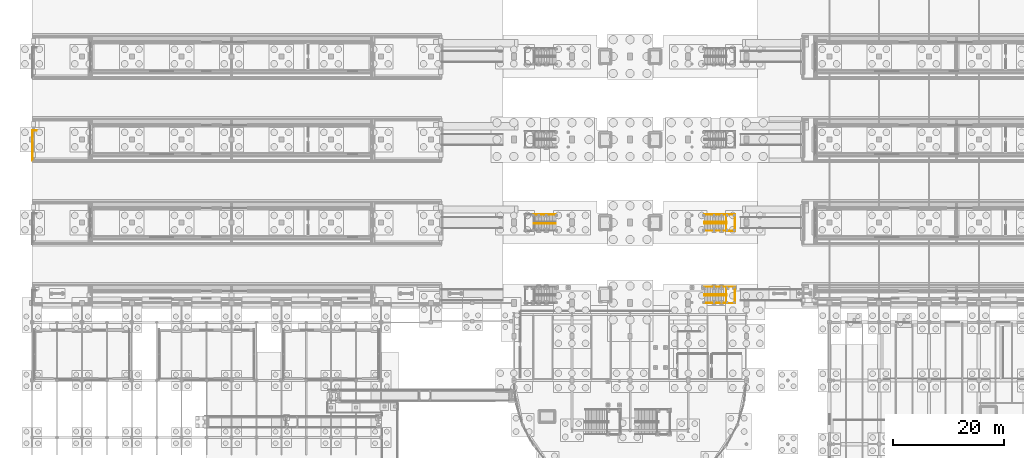
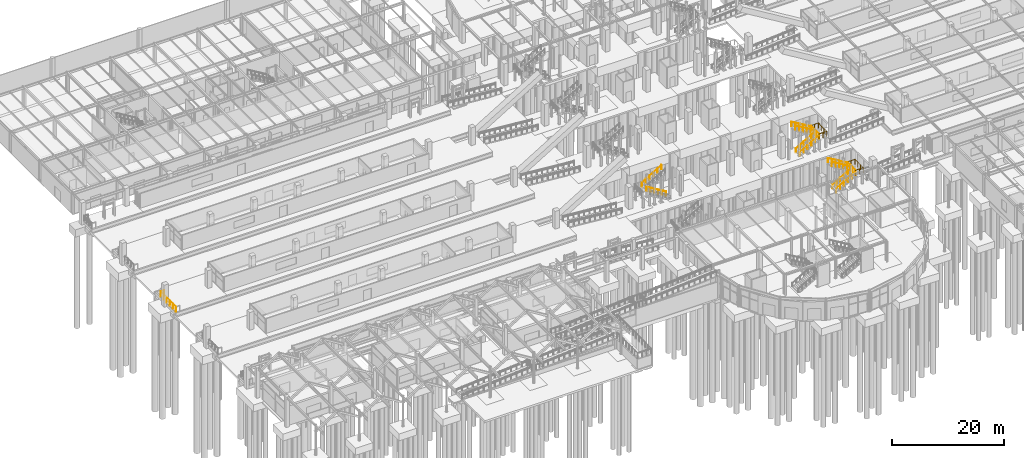
# One storey, part 153 of 160: 15 railings.
"""IFC4 building model written with IfcOpenShell, lengths in metres."""

from ifc_helpers import new_model, si_unit, direction, frame, origin, origin_2d, place, context, subcontext, project, spatial, circle, extrude, material, type_object, element, save


model = new_model("IFC4")

# Units and contexts
model_context = context("Model", 3, precision=1e-05, world=origin(), true_north=direction((0.0, 1.0)))
body_context = subcontext(model_context, "Body", "Model", "MODEL_VIEW")
ifc_project = project(units=[si_unit("LENGTHUNIT", "METRE"), si_unit("AREAUNIT", "SQUARE_METRE"), si_unit("VOLUMEUNIT", "CUBIC_METRE"), si_unit("PLANEANGLEUNIT", "RADIAN"), si_unit("MASSUNIT", "GRAM", prefix="KILO")], contexts=[model_context])

# Site, building, storey
site_placement = place(None, origin())
site = spatial("IfcSite", under=ifc_project, at=site_placement, CompositionType="ELEMENT")
building_placement = place(site_placement, origin())
building = spatial("IfcBuilding", under=site, at=building_placement, Name="Marlcrest Central Station", CompositionType="ELEMENT")
storey_placement = place(building_placement, origin())
storey = spatial("IfcBuildingStorey", under=building, at=storey_placement, Name="L00", CompositionType="ELEMENT", Elevation=0.0)

# Railings
ifc_material_1 = material(Name="Stainless steel and laminated glass concourse balustrade", Category="steel")
railing_type_1 = type_object("IfcRailingType", Name="GR-02", PredefinedType="BALUSTRADE", material=ifc_material_1)
for number, where, name in (
    (1, (125.3701171875, 36.4599609375, 2.39990234375), "hr-L00-00028"),
    (2, (125.3701171875, 49.510009765625, 2.39990234375), "hr-L00-00062"),
):
    element("IfcRailing", number, at=place(storey_placement, frame(where)), inside=storey, type_object=railing_type_1, Name=name, PredefinedType="BALUSTRADE", context=body_context, shape_type="SweptSolid", body=[
        extrude(circle(Radius=0.02392578125, at=origin_2d()), frame((0.0, 0.0, 1.09619140625), z_axis=(1.0, 0.0, 0.0), x_axis=(0.0, 1.0, 0.0)), (0.0, 0.0, 1.0), 1.599853515625),
        extrude(circle(Radius=0.02392578125, at=origin_2d()), frame((1.599853515625, 0.0, 1.09619140625), z_axis=(0.0, 1.0, 0.0), x_axis=(-1.0, 0.0, 0.0)), (0.0, 0.0, 1.0), 2.97998046875),
        extrude(circle(Radius=0.02392578125, at=origin_2d()), frame((1.599853515625, 2.97998046875, 1.09619140625), z_axis=(-1.0, 0.0, 0.0), x_axis=(0.0, -1.0, 0.0)), (0.0, 0.0, 1.0), 1.599853515625),
        extrude(circle(Radius=0.02099609375, at=origin_2d()), origin(), (0.0, 0.0, 1.0), 1.072021484375),
        extrude(circle(Radius=0.02099609375, at=origin_2d()), frame((0.7998046875, 0.0, 0.0)), (0.0, 0.0, 1.0), 1.072021484375),
        extrude(circle(Radius=0.02099609375, at=origin_2d()), frame((1.599853515625, 0.0, 0.0)), (0.0, 0.0, 1.0), 1.072021484375),
        extrude(circle(Radius=0.02099609375, at=origin_2d()), frame((1.599853515625, 0.993408203125, 0.0)), (0.0, 0.0, 1.0), 1.072021484375),
        extrude(circle(Radius=0.02099609375, at=origin_2d()), frame((1.599853515625, 1.986572265625, 0.0)), (0.0, 0.0, 1.0), 1.072021484375),
        extrude(circle(Radius=0.02099609375, at=origin_2d()), frame((1.599853515625, 2.97998046875, 0.0)), (0.0, 0.0, 1.0), 1.072021484375),
        extrude(circle(Radius=0.02099609375, at=origin_2d()), frame((0.7998046875, 2.97998046875, 0.0)), (0.0, 0.0, 1.0), 1.072021484375),
        extrude(circle(Radius=0.02099609375, at=origin_2d()), frame((0.0, 2.97998046875, 0.0)), (0.0, 0.0, 1.0), 1.072021484375),
    ])
railing_1_placement = place(storey_placement, frame((0.06005859375, 62.159912109375, 0.9150390625)))
element("IfcRailing", 3, at=railing_1_placement, inside=storey, type_object=railing_type_1, Name="hr-L00-00380", PredefinedType="BALUSTRADE", context=body_context, shape_type="SweptSolid", body=[
    extrude(circle(Radius=0.02392578125, at=origin_2d()), frame((0.0, 0.0, 1.09619140625), z_axis=(0.0, 1.0, 0.0), x_axis=(-1.0, 0.0, 0.0)), (0.0, 0.0, 1.0), 5.49609375),
    extrude(circle(Radius=0.02392578125, at=origin_2d()), frame((0.0, 5.49609375, 1.09619140625), z_axis=(1.0, 0.0, 0.0), x_axis=(0.0, 1.0, 0.0)), (0.0, 0.0, 1.0), 0.739990234375),
    extrude(circle(Radius=0.02099609375, at=origin_2d()), origin(), (0.0, 0.0, 1.0), 1.072021484375),
    extrude(circle(Radius=0.02099609375, at=origin_2d()), frame((0.0, 1.09912109375, 0.0)), (0.0, 0.0, 1.0), 1.072021484375),
    extrude(circle(Radius=0.02099609375, at=origin_2d()), frame((0.0, 2.198486328125, 0.0)), (0.0, 0.0, 1.0), 1.072021484375),
    extrude(circle(Radius=0.02099609375, at=origin_2d()), frame((0.0, 3.297607421875, 0.0)), (0.0, 0.0, 1.0), 1.072021484375),
    extrude(circle(Radius=0.02099609375, at=origin_2d()), frame((0.0, 4.39697265625, 0.0)), (0.0, 0.0, 1.0), 1.072021484375),
    extrude(circle(Radius=0.02099609375, at=origin_2d()), frame((0.0, 5.49609375, 0.0)), (0.0, 0.0, 1.0), 1.072021484375),
    extrude(circle(Radius=0.02099609375, at=origin_2d()), frame((0.739990234375, 5.49609375, 0.0)), (0.0, 0.0, 1.0), 1.072021484375),
])
railing_2_placement = place(storey_placement, frame((125.389892578125, 36.60009765625, 2.39990234375)))
element("IfcRailing", 4, at=railing_2_placement, inside=storey, type_object=railing_type_1, Name="hr-L00-00571", PredefinedType="BALUSTRADE", context=body_context, shape_type="SweptSolid", body=[
    extrude(circle(Radius=0.02392578125, at=origin_2d()), frame((0.0, 0.0, 1.09619140625), z_axis=(0.0, 1.0, 0.0), x_axis=(-1.0, 0.0, 0.0)), (0.0, 0.0, 1.0), 2.699951171875),
    extrude(circle(Radius=0.02099609375, at=origin_2d()), origin(), (0.0, 0.0, 1.0), 1.072021484375),
    extrude(circle(Radius=0.02099609375, at=origin_2d()), frame((0.0, 0.89990234375, 0.0)), (0.0, 0.0, 1.0), 1.072021484375),
    extrude(circle(Radius=0.02099609375, at=origin_2d()), frame((0.0, 1.800048828125, 0.0)), (0.0, 0.0, 1.0), 1.072021484375),
    extrude(circle(Radius=0.02099609375, at=origin_2d()), frame((0.0, 2.699951171875, 0.0)), (0.0, 0.0, 1.0), 1.072021484375),
])
railing_3_placement = place(storey_placement, frame((125.389892578125, 49.64990234375, 2.39990234375)))
element("IfcRailing", 5, at=railing_3_placement, inside=storey, type_object=railing_type_1, Name="hr-L00-00575", PredefinedType="BALUSTRADE", context=body_context, shape_type="SweptSolid", body=[
    extrude(circle(Radius=0.02392578125, at=origin_2d()), frame((0.0, 0.0, 1.09619140625), z_axis=(0.0, 1.0, 0.0), x_axis=(-1.0, 0.0, 0.0)), (0.0, 0.0, 1.0), 2.7001953125),
    extrude(circle(Radius=0.02099609375, at=origin_2d()), origin(), (0.0, 0.0, 1.0), 1.072021484375),
    extrude(circle(Radius=0.02099609375, at=origin_2d()), frame((0.0, 0.900146484375, 0.0)), (0.0, 0.0, 1.0), 1.072021484375),
    extrude(circle(Radius=0.02099609375, at=origin_2d()), frame((0.0, 1.800048828125, 0.0)), (0.0, 0.0, 1.0), 1.072021484375),
    extrude(circle(Radius=0.02099609375, at=origin_2d()), frame((0.0, 2.7001953125, 0.0)), (0.0, 0.0, 1.0), 1.072021484375),
])
ifc_material_2 = material(Name="Brushed stainless steel handrail", Category="steel")
railing_type_2 = type_object("IfcRailingType", Name="HR-01", PredefinedType="HANDRAIL", material=ifc_material_2)
railing_4_placement = place(storey_placement, frame((121.419921875, 36.47509765625, 0.0)))
element("IfcRailing", 6, at=railing_4_placement, inside=storey, type_object=railing_type_2, Name="hr-L00-00020", PredefinedType="HANDRAIL", context=body_context, shape_type="SweptSolid", body=[
    extrude(circle(Radius=0.02392578125, at=origin_2d()), frame((0.0, 0.0, 0.89599609375), z_axis=(0.856932605607, 0.0, 0.515428471708), x_axis=(0.0, 1.0, 0.0)), (0.0, 0.0, 1.0), 4.65625),
    extrude(circle(Radius=0.02099609375, at=origin_2d()), origin(), (0.0, 0.0, 1.0), 0.871826171875),
    extrude(circle(Radius=0.02099609375, at=origin_2d()), frame((0.798095703125, 0.0, 0.47998046875)), (0.0, 0.0, 1.0), 0.871826171875),
    extrude(circle(Radius=0.02099609375, at=origin_2d()), frame((1.595947265625, 0.0, 0.9599609375)), (0.0, 0.0, 1.0), 0.871826171875),
    extrude(circle(Radius=0.02099609375, at=origin_2d()), frame((2.39404296875, 0.0, 1.43994140625)), (0.0, 0.0, 1.0), 0.871826171875),
    extrude(circle(Radius=0.02099609375, at=origin_2d()), frame((3.19189453125, 0.0, 1.919921875)), (0.0, 0.0, 1.0), 0.871826171875),
    extrude(circle(Radius=0.02099609375, at=origin_2d()), frame((3.989990234375, 0.0, 2.39990234375)), (0.0, 0.0, 1.0), 0.871826171875),
])
railing_5_placement = place(storey_placement, frame((125.409912109375, 38.0849609375, 2.39990234375)))
element("IfcRailing", 7, at=railing_5_placement, inside=storey, type_object=railing_type_2, Name="hr-L00-00021", PredefinedType="HANDRAIL", context=body_context, shape_type="SweptSolid", body=[
    extrude(circle(Radius=0.02392578125, at=origin_2d()), frame((0.0, 0.0, 0.89599609375), z_axis=(-0.856909445827, 0.0, 0.515466974357), x_axis=(0.0, -1.0, 0.0)), (0.0, 0.0, 1.0), 4.65625),
    extrude(circle(Radius=0.02099609375, at=origin_2d()), origin(), (0.0, 0.0, 1.0), 0.871826171875),
    extrude(circle(Radius=0.02099609375, at=origin_2d()), frame((-0.798095703125, 0.0, 0.47998046875)), (0.0, 0.0, 1.0), 0.871826171875),
    extrude(circle(Radius=0.02099609375, at=origin_2d()), frame((-1.595947265625, 0.0, 0.9599609375)), (0.0, 0.0, 1.0), 0.871826171875),
    extrude(circle(Radius=0.02099609375, at=origin_2d()), frame((-2.39404296875, 0.0, 1.440185546875)), (0.0, 0.0, 1.0), 0.871826171875),
    extrude(circle(Radius=0.02099609375, at=origin_2d()), frame((-3.19189453125, 0.0, 1.920166015625)), (0.0, 0.0, 1.0), 0.871826171875),
    extrude(circle(Radius=0.02099609375, at=origin_2d()), frame((-3.989990234375, 0.0, 2.400146484375)), (0.0, 0.0, 1.0), 0.871826171875),
])
railing_6_placement = place(storey_placement, frame((121.419921875, 37.81494140625, 0.0)))
element("IfcRailing", 8, at=railing_6_placement, inside=storey, type_object=railing_type_2, Name="hr-L00-00022", PredefinedType="HANDRAIL", context=body_context, shape_type="SweptSolid", body=[
    extrude(circle(Radius=0.02392578125, at=origin_2d()), frame((0.0, 0.0, 0.89599609375), z_axis=(0.856932605607, 0.0, 0.515428471708), x_axis=(0.0, 1.0, 0.0)), (0.0, 0.0, 1.0), 4.65625),
    extrude(circle(Radius=0.02099609375, at=origin_2d()), origin(), (0.0, 0.0, 1.0), 0.871826171875),
    extrude(circle(Radius=0.02099609375, at=origin_2d()), frame((0.798095703125, 0.0, 0.47998046875)), (0.0, 0.0, 1.0), 0.871826171875),
    extrude(circle(Radius=0.02099609375, at=origin_2d()), frame((1.595947265625, 0.0, 0.9599609375)), (0.0, 0.0, 1.0), 0.871826171875),
    extrude(circle(Radius=0.02099609375, at=origin_2d()), frame((2.39404296875, 0.0, 1.43994140625)), (0.0, 0.0, 1.0), 0.871826171875),
    extrude(circle(Radius=0.02099609375, at=origin_2d()), frame((3.19189453125, 0.0, 1.919921875)), (0.0, 0.0, 1.0), 0.871826171875),
    extrude(circle(Radius=0.02099609375, at=origin_2d()), frame((3.989990234375, 0.0, 2.39990234375)), (0.0, 0.0, 1.0), 0.871826171875),
])
railing_7_placement = place(storey_placement, frame((125.409912109375, 39.425048828125, 2.39990234375)))
element("IfcRailing", 9, at=railing_7_placement, inside=storey, type_object=railing_type_2, Name="hr-L00-00023", PredefinedType="HANDRAIL", context=body_context, shape_type="SweptSolid", body=[
    extrude(circle(Radius=0.02392578125, at=origin_2d()), frame((0.0, 0.0, 0.89599609375), z_axis=(-0.856909445827, 0.0, 0.515466974357), x_axis=(0.0, -1.0, 0.0)), (0.0, 0.0, 1.0), 4.65625),
    extrude(circle(Radius=0.02099609375, at=origin_2d()), origin(), (0.0, 0.0, 1.0), 0.871826171875),
    extrude(circle(Radius=0.02099609375, at=origin_2d()), frame((-0.798095703125, 0.0, 0.47998046875)), (0.0, 0.0, 1.0), 0.871826171875),
    extrude(circle(Radius=0.02099609375, at=origin_2d()), frame((-1.595947265625, 0.0, 0.9599609375)), (0.0, 0.0, 1.0), 0.871826171875),
    extrude(circle(Radius=0.02099609375, at=origin_2d()), frame((-2.39404296875, 0.0, 1.440185546875)), (0.0, 0.0, 1.0), 0.871826171875),
    extrude(circle(Radius=0.02099609375, at=origin_2d()), frame((-3.19189453125, 0.0, 1.920166015625)), (0.0, 0.0, 1.0), 0.871826171875),
    extrude(circle(Radius=0.02099609375, at=origin_2d()), frame((-3.989990234375, 0.0, 2.400146484375)), (0.0, 0.0, 1.0), 0.871826171875),
])
railing_8_placement = place(storey_placement, frame((94.580078125, 50.864990234375, 0.0)))
element("IfcRailing", 10, at=railing_8_placement, inside=storey, type_object=railing_type_2, Name="hr-L00-00039", PredefinedType="HANDRAIL", context=body_context, shape_type="SweptSolid", body=[
    extrude(circle(Radius=0.02392578125, at=origin_2d()), frame((0.0, 0.0, 0.89599609375), z_axis=(-0.856932605607, 0.0, 0.515428471708), x_axis=(0.0, -1.0, 0.0)), (0.0, 0.0, 1.0), 4.65625),
    extrude(circle(Radius=0.02099609375, at=origin_2d()), origin(), (0.0, 0.0, 1.0), 0.871826171875),
    extrude(circle(Radius=0.02099609375, at=origin_2d()), frame((-0.798095703125, 0.0, 0.47998046875)), (0.0, 0.0, 1.0), 0.871826171875),
    extrude(circle(Radius=0.02099609375, at=origin_2d()), frame((-1.595947265625, 0.0, 0.9599609375)), (0.0, 0.0, 1.0), 0.871826171875),
    extrude(circle(Radius=0.02099609375, at=origin_2d()), frame((-2.39404296875, 0.0, 1.43994140625)), (0.0, 0.0, 1.0), 0.871826171875),
    extrude(circle(Radius=0.02099609375, at=origin_2d()), frame((-3.19189453125, 0.0, 1.919921875)), (0.0, 0.0, 1.0), 0.871826171875),
    extrude(circle(Radius=0.02099609375, at=origin_2d()), frame((-3.989990234375, 0.0, 2.39990234375)), (0.0, 0.0, 1.0), 0.871826171875),
])
railing_9_placement = place(storey_placement, frame((90.590087890625, 52.47509765625, 2.39990234375)))
element("IfcRailing", 11, at=railing_9_placement, inside=storey, type_object=railing_type_2, Name="hr-L00-00040", PredefinedType="HANDRAIL", context=body_context, shape_type="SweptSolid", body=[
    extrude(circle(Radius=0.02392578125, at=origin_2d()), frame((0.0, 0.0, 0.89599609375), z_axis=(0.856909445827, 0.0, 0.515466974357), x_axis=(0.0, 1.0, 0.0)), (0.0, 0.0, 1.0), 4.65625),
    extrude(circle(Radius=0.02099609375, at=origin_2d()), origin(), (0.0, 0.0, 1.0), 0.871826171875),
    extrude(circle(Radius=0.02099609375, at=origin_2d()), frame((0.798095703125, 0.0, 0.47998046875)), (0.0, 0.0, 1.0), 0.871826171875),
    extrude(circle(Radius=0.02099609375, at=origin_2d()), frame((1.595947265625, 0.0, 0.9599609375)), (0.0, 0.0, 1.0), 0.871826171875),
    extrude(circle(Radius=0.02099609375, at=origin_2d()), frame((2.39404296875, 0.0, 1.440185546875)), (0.0, 0.0, 1.0), 0.871826171875),
    extrude(circle(Radius=0.02099609375, at=origin_2d()), frame((3.19189453125, 0.0, 1.920166015625)), (0.0, 0.0, 1.0), 0.871826171875),
    extrude(circle(Radius=0.02099609375, at=origin_2d()), frame((3.989990234375, 0.0, 2.400146484375)), (0.0, 0.0, 1.0), 0.871826171875),
])
railing_10_placement = place(storey_placement, frame((121.419921875, 49.52490234375, 0.0)))
element("IfcRailing", 12, at=railing_10_placement, inside=storey, type_object=railing_type_2, Name="hr-L00-00054", PredefinedType="HANDRAIL", context=body_context, shape_type="SweptSolid", body=[
    extrude(circle(Radius=0.02392578125, at=origin_2d()), frame((0.0, 0.0, 0.89599609375), z_axis=(0.856932605607, 0.0, 0.515428471708), x_axis=(0.0, 1.0, 0.0)), (0.0, 0.0, 1.0), 4.65625),
    extrude(circle(Radius=0.02099609375, at=origin_2d()), origin(), (0.0, 0.0, 1.0), 0.871826171875),
    extrude(circle(Radius=0.02099609375, at=origin_2d()), frame((0.798095703125, 0.0, 0.47998046875)), (0.0, 0.0, 1.0), 0.871826171875),
    extrude(circle(Radius=0.02099609375, at=origin_2d()), frame((1.595947265625, 0.0, 0.9599609375)), (0.0, 0.0, 1.0), 0.871826171875),
    extrude(circle(Radius=0.02099609375, at=origin_2d()), frame((2.39404296875, 0.0, 1.43994140625)), (0.0, 0.0, 1.0), 0.871826171875),
    extrude(circle(Radius=0.02099609375, at=origin_2d()), frame((3.19189453125, 0.0, 1.919921875)), (0.0, 0.0, 1.0), 0.871826171875),
    extrude(circle(Radius=0.02099609375, at=origin_2d()), frame((3.989990234375, 0.0, 2.39990234375)), (0.0, 0.0, 1.0), 0.871826171875),
])
railing_11_placement = place(storey_placement, frame((125.409912109375, 51.135009765625, 2.39990234375)))
element("IfcRailing", 13, at=railing_11_placement, inside=storey, type_object=railing_type_2, Name="hr-L00-00055", PredefinedType="HANDRAIL", context=body_context, shape_type="SweptSolid", body=[
    extrude(circle(Radius=0.02392578125, at=origin_2d()), frame((0.0, 0.0, 0.89599609375), z_axis=(-0.856909445827, 0.0, 0.515466974357), x_axis=(0.0, -1.0, 0.0)), (0.0, 0.0, 1.0), 4.65625),
    extrude(circle(Radius=0.02099609375, at=origin_2d()), origin(), (0.0, 0.0, 1.0), 0.871826171875),
    extrude(circle(Radius=0.02099609375, at=origin_2d()), frame((-0.798095703125, 0.0, 0.47998046875)), (0.0, 0.0, 1.0), 0.871826171875),
    extrude(circle(Radius=0.02099609375, at=origin_2d()), frame((-1.595947265625, 0.0, 0.9599609375)), (0.0, 0.0, 1.0), 0.871826171875),
    extrude(circle(Radius=0.02099609375, at=origin_2d()), frame((-2.39404296875, 0.0, 1.440185546875)), (0.0, 0.0, 1.0), 0.871826171875),
    extrude(circle(Radius=0.02099609375, at=origin_2d()), frame((-3.19189453125, 0.0, 1.920166015625)), (0.0, 0.0, 1.0), 0.871826171875),
    extrude(circle(Radius=0.02099609375, at=origin_2d()), frame((-3.989990234375, 0.0, 2.400146484375)), (0.0, 0.0, 1.0), 0.871826171875),
])
railing_12_placement = place(storey_placement, frame((121.419921875, 50.864990234375, 0.0)))
element("IfcRailing", 14, at=railing_12_placement, inside=storey, type_object=railing_type_2, Name="hr-L00-00056", PredefinedType="HANDRAIL", context=body_context, shape_type="SweptSolid", body=[
    extrude(circle(Radius=0.02392578125, at=origin_2d()), frame((0.0, 0.0, 0.89599609375), z_axis=(0.856932605607, 0.0, 0.515428471708), x_axis=(0.0, 1.0, 0.0)), (0.0, 0.0, 1.0), 4.65625),
    extrude(circle(Radius=0.02099609375, at=origin_2d()), origin(), (0.0, 0.0, 1.0), 0.871826171875),
    extrude(circle(Radius=0.02099609375, at=origin_2d()), frame((0.798095703125, 0.0, 0.47998046875)), (0.0, 0.0, 1.0), 0.871826171875),
    extrude(circle(Radius=0.02099609375, at=origin_2d()), frame((1.595947265625, 0.0, 0.9599609375)), (0.0, 0.0, 1.0), 0.871826171875),
    extrude(circle(Radius=0.02099609375, at=origin_2d()), frame((2.39404296875, 0.0, 1.43994140625)), (0.0, 0.0, 1.0), 0.871826171875),
    extrude(circle(Radius=0.02099609375, at=origin_2d()), frame((3.19189453125, 0.0, 1.919921875)), (0.0, 0.0, 1.0), 0.871826171875),
    extrude(circle(Radius=0.02099609375, at=origin_2d()), frame((3.989990234375, 0.0, 2.39990234375)), (0.0, 0.0, 1.0), 0.871826171875),
])
railing_13_placement = place(storey_placement, frame((125.409912109375, 52.47509765625, 2.39990234375)))
element("IfcRailing", 15, at=railing_13_placement, inside=storey, type_object=railing_type_2, Name="hr-L00-00057", PredefinedType="HANDRAIL", context=body_context, shape_type="SweptSolid", body=[
    extrude(circle(Radius=0.02392578125, at=origin_2d()), frame((0.0, 0.0, 0.89599609375), z_axis=(-0.856909445827, 0.0, 0.515466974357), x_axis=(0.0, -1.0, 0.0)), (0.0, 0.0, 1.0), 4.65625),
    extrude(circle(Radius=0.02099609375, at=origin_2d()), origin(), (0.0, 0.0, 1.0), 0.871826171875),
    extrude(circle(Radius=0.02099609375, at=origin_2d()), frame((-0.798095703125, 0.0, 0.47998046875)), (0.0, 0.0, 1.0), 0.871826171875),
    extrude(circle(Radius=0.02099609375, at=origin_2d()), frame((-1.595947265625, 0.0, 0.9599609375)), (0.0, 0.0, 1.0), 0.871826171875),
    extrude(circle(Radius=0.02099609375, at=origin_2d()), frame((-2.39404296875, 0.0, 1.440185546875)), (0.0, 0.0, 1.0), 0.871826171875),
    extrude(circle(Radius=0.02099609375, at=origin_2d()), frame((-3.19189453125, 0.0, 1.920166015625)), (0.0, 0.0, 1.0), 0.871826171875),
    extrude(circle(Radius=0.02099609375, at=origin_2d()), frame((-3.989990234375, 0.0, 2.400146484375)), (0.0, 0.0, 1.0), 0.871826171875),
])

save(model, "model.ifc")
